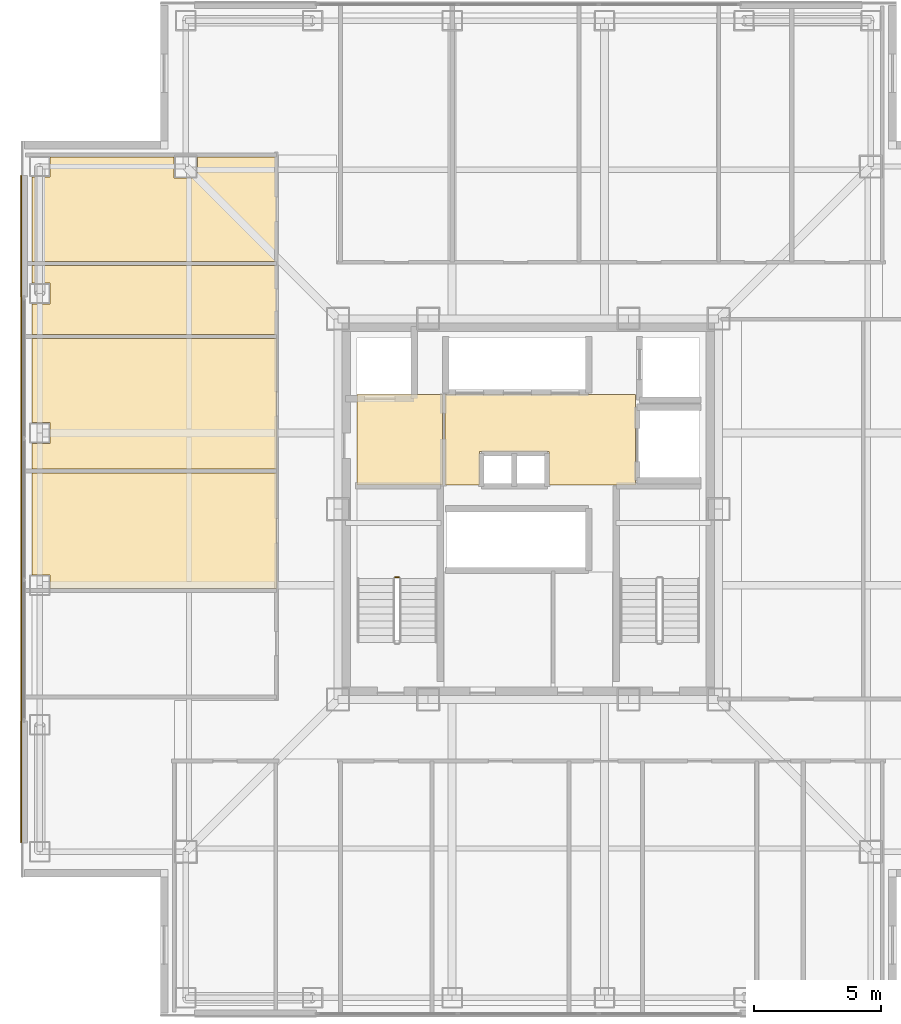
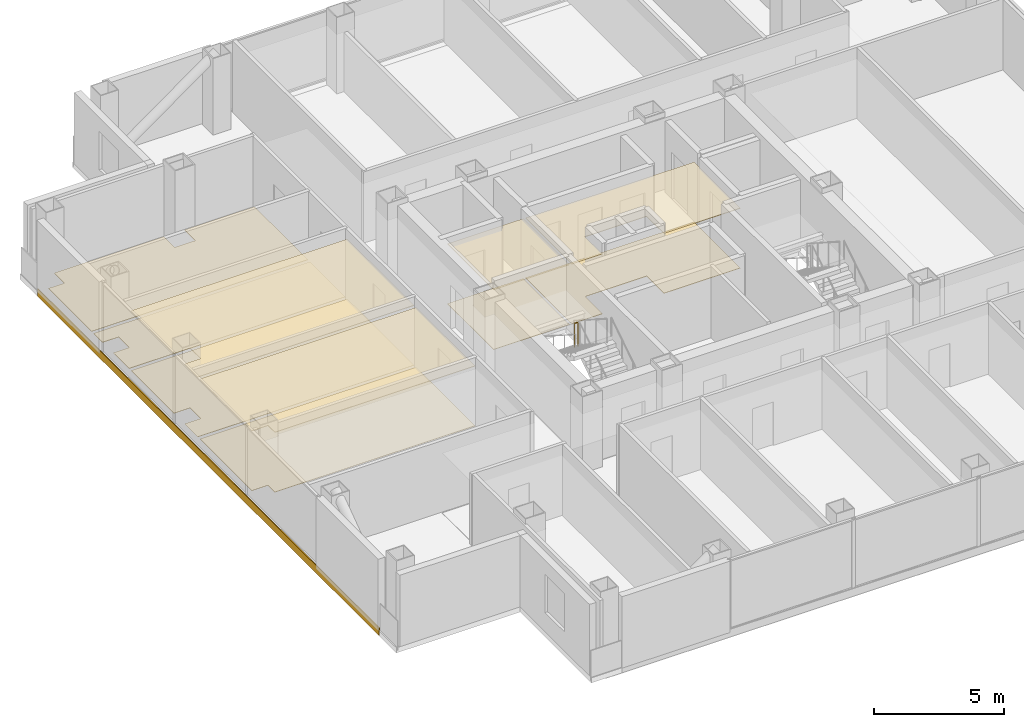
# One storey, part 14 of 17: 11 coverings, 1 railing.
"""IFC4 building model written with IfcOpenShell, lengths in metres."""

from ifc_helpers import new_model, si_unit, direction, frame, frame_2d, origin, origin_2d, place, context, subcontext, project, spatial, polyline, rectangle, circle, outline, extrude, material, layer, layer_set, type_object, element, save


model = new_model("IFC4")

# Units and contexts
model_context = context("Model", 3, precision=1e-05, world=origin(), true_north=direction((0.0, 1.0)))
body_context = subcontext(model_context, "Body", "Model", "MODEL_VIEW")
ifc_project = project(units=[si_unit("LENGTHUNIT", "METRE"), si_unit("AREAUNIT", "SQUARE_METRE"), si_unit("VOLUMEUNIT", "CUBIC_METRE"), si_unit("PLANEANGLEUNIT", "RADIAN"), si_unit("MASSUNIT", "GRAM", prefix="KILO")], contexts=[model_context])

# Site, building, storey
site_placement = place(None, origin())
site = spatial("IfcSite", under=ifc_project, at=site_placement, CompositionType="ELEMENT")
building_placement = place(site_placement, origin())
building = spatial("IfcBuilding", under=site, at=building_placement, Name="Trevonay Congress Spire", CompositionType="ELEMENT")
storey_placement = place(building_placement, frame((0.0, 0.0, 169.800048828125)))
storey = spatial("IfcBuildingStorey", under=building, at=storey_placement, Name="L43", CompositionType="ELEMENT", Elevation=169.800048828125)

# Coverings
ifc_material_1 = material(Name="Acoustic Mineral Fibre Board", Category="gypsum")
ifc_layer_1 = layer(ifc_material_1, 0.02490234375, Name="Acoustic Mineral Fibre Board")
ifc_layer_set_1 = layer_set([ifc_layer_1], Name="Acoustic Mineral Fibre Board")
covering_type_1 = type_object("IfcCoveringType", Name="COV-CEIL-ACOUSTIC", PredefinedType="CEILING", material=ifc_layer_set_1)
covering_1_placement = place(storey_placement, frame((0.0, 0.0, 2.81005859375)))
element("IfcCovering", 1, at=covering_1_placement, inside=storey, type_object=covering_type_1, Name="L43 Firefighting Lift Lobby West acoustic suspended ceiling", PredefinedType="CEILING", context=body_context, shape_type="SweptSolid", body=[
    extrude(outline(polyline([(-6.75, 0.9599609375), (-3.3798828125, 0.9599609375), (-3.3798828125, 4.52001953125), (-6.75, 4.52001953125), (-6.75, 0.9599609375)])), origin(), (0.0, 0.0, 1.0), 0.02490234375),
])
covering_2_placement = place(storey_placement, frame((0.0, 0.0, 2.81005859375)))
element("IfcCovering", 2, at=covering_2_placement, inside=storey, type_object=covering_type_1, Name="L43 Central and High-Rise Passenger Lift Lobby acoustic suspended ceiling", PredefinedType="CEILING", context=body_context, shape_type="SweptSolid", body=[
    extrude(outline(polyline([(-3.280029296875, 0.949951171875), (-1.919921875, 0.949951171875), (-1.919921875, 2.280029296875), (0.820068359375, 2.280029296875), (0.820068359375, 0.949951171875), (4.219970703125, 0.949951171875), (4.219970703125, 4.52001953125), (-3.280029296875, 4.52001953125), (-3.280029296875, 0.949951171875)])), origin(), (0.0, 0.0, 1.0), 0.02490234375),
])
covering_3_placement = place(storey_placement, frame((0.0, 0.0, 2.81005859375)))
element("IfcCovering", 3, at=covering_3_placement, inside=storey, type_object=covering_type_1, Name="L43 Claims Office 6 acoustic suspended ceiling", PredefinedType="CEILING", context=body_context, shape_type="SweptSolid", body=[
    extrude(outline(polyline([(-19.550048828125, 1.419921875), (-9.929931640625, 1.419921875), (-9.929931640625, -3.1201171875), (-18.840087890625, -3.1201171875), (-18.840087890625, -2.590087890625), (-19.550048828125, -2.590087890625), (-19.550048828125, 1.419921875)])), origin(), (0.0, 0.0, 1.0), 0.02490234375),
])
covering_4_placement = place(storey_placement, frame((0.0, 0.0, 2.81005859375)))
element("IfcCovering", 4, at=covering_4_placement, inside=storey, type_object=covering_type_1, Name="L43 Registry Office 7 acoustic suspended ceiling", PredefinedType="CEILING", context=body_context, shape_type="SweptSolid", body=[
    extrude(outline(polyline([(-19.550048828125, 6.719970703125), (-9.929931640625, 6.719970703125), (-9.929931640625, 1.580078125), (-19.550048828125, 1.580078125), (-19.550048828125, 2.590087890625), (-18.840087890625, 2.590087890625), (-18.840087890625, 3.409912109375), (-19.550048828125, 3.409912109375), (-19.550048828125, 6.719970703125)])), origin(), (0.0, 0.0, 1.0), 0.02490234375),
])
ifc_material_2 = material(Name="Polished Granite Floor Tile", Category="masonry")
ifc_layer_2 = layer(ifc_material_2, 0.02001953125, Name="Polished Granite Floor Tile")
ifc_layer_set_2 = layer_set([ifc_layer_2], Name="Polished Granite Floor Tile")
covering_type_2 = type_object("IfcCoveringType", Name="COV-FLOOR-STONE", PredefinedType="FLOORING", material=ifc_layer_set_2)
covering_5_placement = place(storey_placement, origin())
element("IfcCovering", 5, at=covering_5_placement, inside=storey, type_object=covering_type_2, Name="L43 Firefighting Lift Lobby West floor finish", PredefinedType="FLOORING", context=body_context, shape_type="SweptSolid", body=[
    extrude(outline(polyline([(-6.75, 0.9599609375), (-3.3798828125, 0.9599609375), (-3.3798828125, 4.52001953125), (-6.75, 4.52001953125), (-6.75, 0.9599609375)])), origin(), (0.0, 0.0, 1.0), 0.02001953125),
])
covering_6_placement = place(storey_placement, origin())
element("IfcCovering", 6, at=covering_6_placement, inside=storey, type_object=covering_type_2, Name="L43 Central and High-Rise Passenger Lift Lobby floor finish", PredefinedType="FLOORING", context=body_context, shape_type="SweptSolid", body=[
    extrude(outline(polyline([(-3.280029296875, 0.949951171875), (-1.919921875, 0.949951171875), (-1.919921875, 2.280029296875), (0.820068359375, 2.280029296875), (0.820068359375, 0.949951171875), (4.219970703125, 0.949951171875), (4.219970703125, 4.52001953125), (-3.280029296875, 4.52001953125), (-3.280029296875, 0.949951171875)])), origin(), (0.0, 0.0, 1.0), 0.02001953125),
])
covering_7_placement = place(storey_placement, origin())
element("IfcCovering", 7, at=covering_7_placement, inside=storey, type_object=covering_type_2, Name="L43 Male Restroom WC floor finish", PredefinedType="FLOORING", context=body_context, shape_type="SweptSolid", body=[
    extrude(outline(polyline([(-19.550048828125, 9.60009765625), (-9.929931640625, 9.60009765625), (-9.929931640625, 6.8798828125), (-19.550048828125, 6.8798828125), (-19.550048828125, 8.090087890625), (-18.840087890625, 8.090087890625), (-18.840087890625, 8.909912109375), (-19.550048828125, 8.909912109375), (-19.550048828125, 9.60009765625)])), origin(), (0.0, 0.0, 1.0), 0.02001953125),
])
covering_8_placement = place(storey_placement, origin())
element("IfcCovering", 8, at=covering_8_placement, inside=storey, type_object=covering_type_2, Name="L43 Floor Supplies and Copy Room floor finish", PredefinedType="FLOORING", context=body_context, shape_type="SweptSolid", body=[
    extrude(outline(polyline([(-9.929931640625, 13.8701171875), (-9.929931640625, 9.760009765625), (-19.550048828125, 9.760009765625), (-19.550048828125, 13.090087890625), (-18.840087890625, 13.090087890625), (-18.840087890625, 13.8701171875), (-13.9599609375, 13.8701171875), (-13.9599609375, 13.0400390625), (-13.0400390625, 13.0400390625), (-13.0400390625, 13.8701171875), (-9.929931640625, 13.8701171875)])), origin(), (0.0, 0.0, 1.0), 0.02001953125),
])
ifc_material_3 = material(Name="Engineered Oak Flooring", Category="wood")
ifc_layer_3 = layer(ifc_material_3, 0.01806640625, Name="Engineered Oak Flooring")
ifc_layer_set_3 = layer_set([ifc_layer_3], Name="Engineered Oak Flooring")
covering_type_3 = type_object("IfcCoveringType", Name="COV-FLOOR-TIMBER", PredefinedType="FLOORING", material=ifc_layer_set_3)
covering_9_placement = place(storey_placement, origin())
element("IfcCovering", 9, at=covering_9_placement, inside=storey, type_object=covering_type_3, Name="L43 Claims Office 6 floor finish", PredefinedType="FLOORING", context=body_context, shape_type="SweptSolid", body=[
    extrude(outline(polyline([(-19.550048828125, 1.419921875), (-9.929931640625, 1.419921875), (-9.929931640625, -3.1201171875), (-18.840087890625, -3.1201171875), (-18.840087890625, -2.590087890625), (-19.550048828125, -2.590087890625), (-19.550048828125, 1.419921875)])), origin(), (0.0, 0.0, 1.0), 0.01806640625),
])
covering_10_placement = place(storey_placement, origin())
element("IfcCovering", 10, at=covering_10_placement, inside=storey, type_object=covering_type_3, Name="L43 Registry Office 7 floor finish", PredefinedType="FLOORING", context=body_context, shape_type="SweptSolid", body=[
    extrude(outline(polyline([(-19.550048828125, 6.719970703125), (-9.929931640625, 6.719970703125), (-9.929931640625, 1.580078125), (-19.550048828125, 1.580078125), (-19.550048828125, 2.590087890625), (-18.840087890625, 2.590087890625), (-18.840087890625, 3.409912109375), (-19.550048828125, 3.409912109375), (-19.550048828125, 6.719970703125)])), origin(), (0.0, 0.0, 1.0), 0.01806640625),
])
ifc_material_4 = material(Name="Pale Anodised Aluminium EN AW-6063-T6", Category="aluminium")
ifc_layer_4 = layer(ifc_material_4, 0.0400390625, Name="Pale Anodised Aluminium EN AW-6063-T6")
ifc_layer_set_4 = layer_set([ifc_layer_4], Name="Pale Anodised Aluminium EN AW-6063-T6")
covering_type_4 = type_object("IfcCoveringType", Name="COV-SPANDREL-PALE-METAL", PredefinedType="CLADDING", material=ifc_layer_set_4)
covering_11_placement = place(storey_placement, frame((-19.97998046875, -13.14990234375, -0.239990234375), z_axis=(0.0, 0.0, 1.0), x_axis=(0.0, 1.0, 0.0)))
element("IfcCovering", 11, at=covering_11_placement, inside=storey, type_object=covering_type_4, Name="L43 W pale-metal slab-edge spandrel cladding", PredefinedType="CLADDING", context=body_context, shape_type="SweptSolid", body=[
    extrude(rectangle(XDim=26.2998046875, YDim=0.0400390625, at=frame_2d((13.14990234375, 0.0))), origin(), (0.0, 0.0, 1.0), 0.35986328125),
])

# Railing
railing_type = type_object("IfcRailingType", Name="RAL-STAIR-GUARD-110", PredefinedType="GUARDRAIL", material=ifc_material_4)
railing_placement = place(storey_placement, frame((-5.10009765625, -2.679931640625, 1.800048828125)))
element("IfcRailing", 12, at=railing_placement, inside=storey, type_object=railing_type, Name="L43 ST-1 stair guard 2", PredefinedType="GUARDRAIL", context=body_context, shape_type="SweptSolid", body=[
    extrude(circle(Radius=0.02392578125, at=origin_2d()), frame((0.0, 0.0, 1.1259765625), z_axis=(-1.0, 0.0, 0.0), x_axis=(0.0, -1.0, 0.0)), (0.0, 0.0, 1.0), 0.14990234375),
    extrude(circle(Radius=0.02099609375, at=origin_2d()), origin(), (0.0, 0.0, 1.0), 1.101806640625),
    extrude(circle(Radius=0.02099609375, at=origin_2d()), frame((-0.14990234375, 0.0, 0.0)), (0.0, 0.0, 1.0), 1.101806640625),
])

save(model, "model.ifc")
